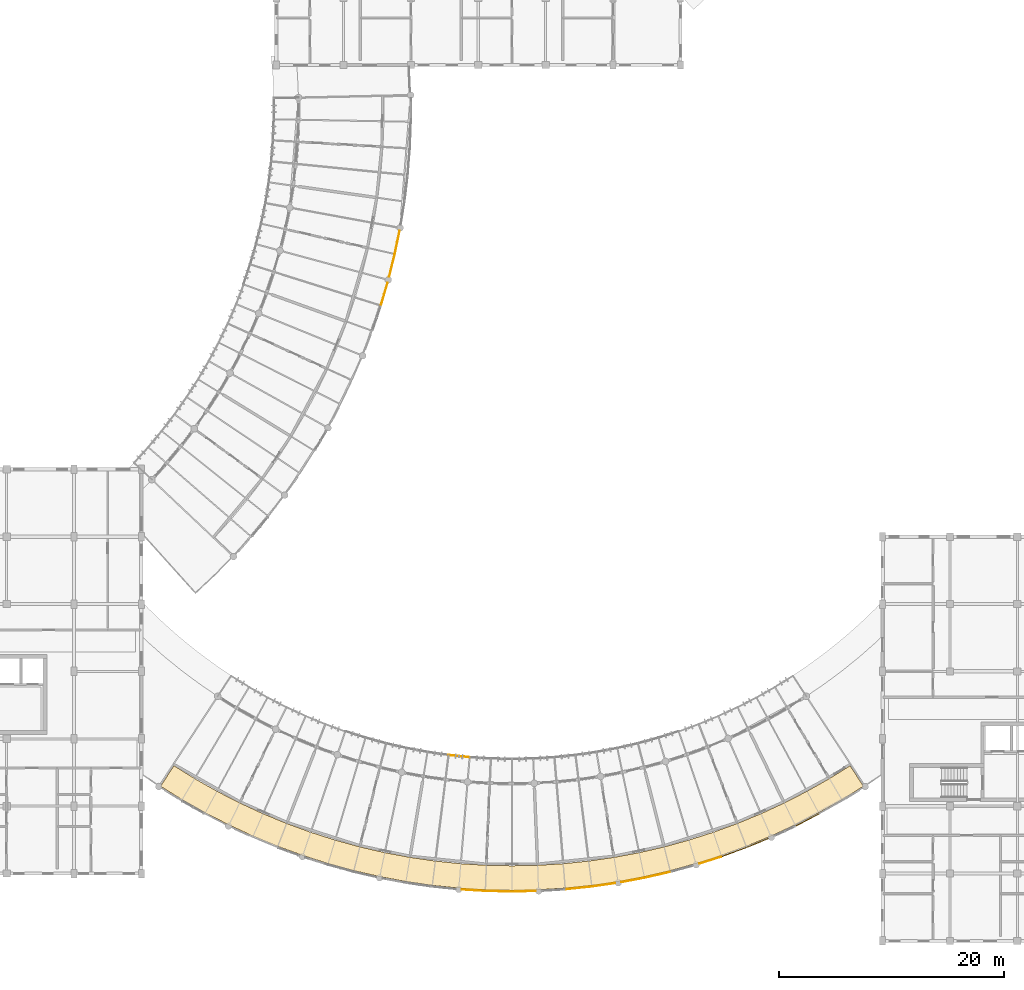
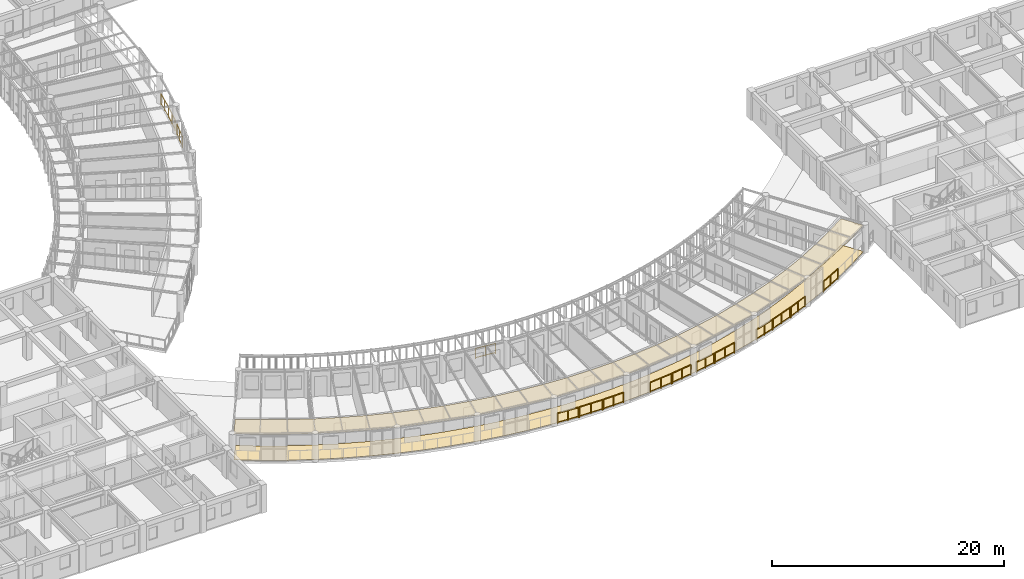
# One storey, part 91 of 100: 15 railings, 2 coverings.
"""IFC4 building model written with IfcOpenShell, lengths in metres."""

from ifc_helpers import new_model, si_unit, direction, frame, origin, origin_2d, place, context, subcontext, project, spatial, polyline, circle, outline, extrude, material, layer, layer_set, type_object, element, save


model = new_model("IFC4")

# Units and contexts
model_context = context("Model", 3, precision=1e-05, world=origin(), true_north=direction((0.0, 1.0)))
body_context = subcontext(model_context, "Body", "Model", "MODEL_VIEW")
ifc_project = project(units=[si_unit("LENGTHUNIT", "METRE"), si_unit("AREAUNIT", "SQUARE_METRE"), si_unit("VOLUMEUNIT", "CUBIC_METRE"), si_unit("PLANEANGLEUNIT", "RADIAN"), si_unit("MASSUNIT", "GRAM", prefix="KILO"), si_unit("POWERUNIT", "WATT"), si_unit("THERMODYNAMICTEMPERATUREUNIT", "KELVIN")], contexts=[model_context])

# Site, building, storey
site_placement = place(None, origin())
site = spatial("IfcSite", under=ifc_project, at=site_placement, CompositionType="ELEMENT")
building_placement = place(site_placement, origin())
building = spatial("IfcBuilding", under=site, at=building_placement, Name="Ruvembo Vaulted Housing Court", CompositionType="ELEMENT")
storey_placement = place(building_placement, frame((0.0, 0.0, 14.10009765625)))
storey = spatial("IfcBuildingStorey", under=building, at=storey_placement, Name="L04", CompositionType="ELEMENT", Elevation=14.10009765625)

# Coverings
ifc_material_1 = material(Name="Perforated Mineral-Fibre Acoustic Tile", Category="gypsum")
ifc_layer_1 = layer(ifc_material_1, 0.02001953125, Name="Perforated Mineral-Fibre Acoustic Tile")
ifc_layer_set_1 = layer_set([ifc_layer_1], Name="Perforated Mineral-Fibre Acoustic Tile")
covering_type_1 = type_object("IfcCoveringType", Name="COV-CEIL-ACOUST", PredefinedType="CEILING", material=ifc_layer_set_1)
covering_1_placement = place(storey_placement, frame((0.0, 0.0, 2.75)))
element("IfcCovering", 1, at=covering_1_placement, inside=storey, type_object=covering_type_1, Name="Scoop SC2 L04 Shaded Access Gallery Ceiling", PredefinedType="CEILING", context=body_context, shape_type="SweptSolid", body=[
    extrude(outline(polyline([(37.705810546875, 13.7763671875), (39.62548828125, 12.5810546875), (41.6884765625, 11.41162109375), (43.798095703125, 10.328369140625), (45.950439453125, 9.3330078125), (48.14208984375, 8.427001953125), (50.369384765625, 7.612548828125), (52.628173828125, 6.890380859375), (54.9150390625, 6.26220703125), (57.2255859375, 5.728759765625), (59.556396484375, 5.291015625), (61.9033203125, 4.94970703125), (64.26220703125, 4.70556640625), (66.62890625, 4.558837890625), (69.0, 4.510009765625), (71.37109375, 4.558837890625), (73.73779296875, 4.70556640625), (76.0966796875, 4.94970703125), (78.443603515625, 5.291015625), (80.7744140625, 5.728759765625), (83.0849609375, 6.26220703125), (85.371826171875, 6.890380859375), (87.630615234375, 7.612548828125), (89.85791015625, 8.427001953125), (92.049560546875, 9.3330078125), (94.201904296875, 10.328369140625), (96.3115234375, 11.41162109375), (98.37451171875, 12.5810546875), (100.294189453125, 13.7763671875), (99.104248046875, 15.602783203125), (97.2626953125, 14.456298828125), (97.2587890625, 14.453857421875), (95.27783203125, 13.3310546875), (95.27392578125, 13.328857421875), (93.248291015625, 12.288818359375), (93.244384765625, 12.286865234375), (91.177490234375, 11.3310546875), (91.17333984375, 11.3291015625), (89.069091796875, 10.45947265625), (89.064697265625, 10.457763671875), (86.92626953125, 9.675537109375), (86.922119140625, 9.674072265625), (84.753173828125, 8.980712890625), (84.748779296875, 8.9794921875), (82.552978515625, 8.376220703125), (82.548583984375, 8.375244140625), (80.330078125, 7.86279296875), (80.32568359375, 7.862060546875), (78.087646484375, 7.441650390625), (78.083251953125, 7.44091796875), (75.829833984375, 7.11328125), (75.825439453125, 7.11279296875), (73.560546875, 6.87841796875), (73.555908203125, 6.8779296875), (71.283203125, 6.737060546875), (71.27880859375, 6.73681640625), (69.002197265625, 6.68994140625), (68.997802734375, 6.68994140625), (66.72119140625, 6.73681640625), (66.716796875, 6.737060546875), (64.444091796875, 6.8779296875), (64.439453125, 6.87841796875), (62.174560546875, 7.11279296875), (62.170166015625, 7.11328125), (59.916748046875, 7.44091796875), (59.912109375, 7.441650390625), (57.67431640625, 7.862060546875), (57.669921875, 7.86279296875), (55.451416015625, 8.375244140625), (55.447021484375, 8.376220703125), (53.251220703125, 8.9794921875), (53.246826171875, 8.980712890625), (51.077880859375, 9.674072265625), (51.07373046875, 9.675537109375), (48.935302734375, 10.457763671875), (48.930908203125, 10.45947265625), (46.82666015625, 11.3291015625), (46.822509765625, 11.3310546875), (44.755615234375, 12.286865234375), (44.751708984375, 12.288818359375), (42.72607421875, 13.328857421875), (42.72216796875, 13.3310546875), (40.7412109375, 14.453857421875), (40.7373046875, 14.456298828125), (38.895751953125, 15.602783203125), (37.705810546875, 13.7763671875)])), origin(), (0.0, 0.0, 1.0), 0.02001953125),
])
ifc_material_2 = material(Name="Polished Cement-Aggregate Terrazzo", Category="stone")
ifc_layer_2 = layer(ifc_material_2, 0.02197265625, Name="Polished Cement-Aggregate Terrazzo")
ifc_layer_set_2 = layer_set([ifc_layer_2], Name="Polished Cement-Aggregate Terrazzo")
covering_type_2 = type_object("IfcCoveringType", Name="COV-FLR-CERAMIC", PredefinedType="FLOORING", material=ifc_layer_set_2)
covering_2_placement = place(storey_placement, origin())
element("IfcCovering", 2, at=covering_2_placement, inside=storey, type_object=covering_type_2, Name="Scoop SC2 L04 Shaded Access Gallery Flooring", PredefinedType="FLOORING", context=body_context, shape_type="SweptSolid", body=[
    extrude(outline(polyline([(37.705810546875, 13.7763671875), (39.62548828125, 12.5810546875), (41.6884765625, 11.41162109375), (43.798095703125, 10.328369140625), (45.950439453125, 9.3330078125), (48.14208984375, 8.427001953125), (50.369384765625, 7.612548828125), (52.628173828125, 6.890380859375), (54.9150390625, 6.26220703125), (57.2255859375, 5.728759765625), (59.556396484375, 5.291015625), (61.9033203125, 4.94970703125), (64.26220703125, 4.70556640625), (66.62890625, 4.558837890625), (69.0, 4.510009765625), (71.37109375, 4.558837890625), (73.73779296875, 4.70556640625), (76.0966796875, 4.94970703125), (78.443603515625, 5.291015625), (80.7744140625, 5.728759765625), (83.0849609375, 6.26220703125), (85.371826171875, 6.890380859375), (87.630615234375, 7.612548828125), (89.85791015625, 8.427001953125), (92.049560546875, 9.3330078125), (94.201904296875, 10.328369140625), (96.3115234375, 11.41162109375), (98.37451171875, 12.5810546875), (100.294189453125, 13.7763671875), (99.104248046875, 15.602783203125), (97.2626953125, 14.456298828125), (97.2587890625, 14.453857421875), (95.27783203125, 13.3310546875), (95.27392578125, 13.328857421875), (93.248291015625, 12.288818359375), (93.244384765625, 12.286865234375), (91.177490234375, 11.3310546875), (91.17333984375, 11.3291015625), (89.069091796875, 10.45947265625), (89.064697265625, 10.457763671875), (86.92626953125, 9.675537109375), (86.922119140625, 9.674072265625), (84.753173828125, 8.980712890625), (84.748779296875, 8.9794921875), (82.552978515625, 8.376220703125), (82.548583984375, 8.375244140625), (80.330078125, 7.86279296875), (80.32568359375, 7.862060546875), (78.087646484375, 7.441650390625), (78.083251953125, 7.44091796875), (75.829833984375, 7.11328125), (75.825439453125, 7.11279296875), (73.560546875, 6.87841796875), (73.555908203125, 6.8779296875), (71.283203125, 6.737060546875), (71.27880859375, 6.73681640625), (69.002197265625, 6.68994140625), (68.997802734375, 6.68994140625), (66.72119140625, 6.73681640625), (66.716796875, 6.737060546875), (64.444091796875, 6.8779296875), (64.439453125, 6.87841796875), (62.174560546875, 7.11279296875), (62.170166015625, 7.11328125), (59.916748046875, 7.44091796875), (59.912109375, 7.441650390625), (57.67431640625, 7.862060546875), (57.669921875, 7.86279296875), (55.451416015625, 8.375244140625), (55.447021484375, 8.376220703125), (53.251220703125, 8.9794921875), (53.246826171875, 8.980712890625), (51.077880859375, 9.674072265625), (51.07373046875, 9.675537109375), (48.935302734375, 10.457763671875), (48.930908203125, 10.45947265625), (46.82666015625, 11.3291015625), (46.822509765625, 11.3310546875), (44.755615234375, 12.286865234375), (44.751708984375, 12.288818359375), (42.72607421875, 13.328857421875), (42.72216796875, 13.3310546875), (40.7412109375, 14.453857421875), (40.7373046875, 14.456298828125), (38.895751953125, 15.602783203125), (37.705810546875, 13.7763671875)])), origin(), (0.0, 0.0, 1.0), 0.02197265625),
])

# Railings
ifc_material_3 = material(Name="Galvanised Painted Steel and Laminated Glass", Category="steel")
ifc_layer_3 = layer(ifc_material_3, 0.070068359375, Name="Galvanised Painted Steel and Laminated Glass")
ifc_layer_set_3 = layer_set([ifc_layer_3], Name="Galvanised Painted Steel and Laminated Glass")
railing_type_1 = type_object("IfcRailingType", Name="RL-BALUST-1120", PredefinedType="BALUSTRADE", material=ifc_layer_set_3)
railing_1_placement = place(storey_placement, frame((57.336181640625, 56.628173828125, 0.0)))
element("IfcRailing", 3, at=railing_1_placement, inside=storey, type_object=railing_type_1, Name="L04 Perimeter Guard RL-EXT-L04-0153", PredefinedType="BALUSTRADE", context=body_context, shape_type="SweptSolid", body=[
    extrude(circle(Radius=0.02392578125, at=origin_2d()), frame((0.0, 0.0, 1.09619140625), z_axis=(0.280841912011, 0.959754041647, 0.0), x_axis=(-0.959754041647, 0.280841912011, 0.0)), (0.0, 0.0, 1.0), 2.0263671875),
    extrude(circle(Radius=0.01806640625, at=origin_2d()), frame((0.0, 0.0, 0.1201171875), z_axis=(0.280841912011, 0.959754041647, 0.0), x_axis=(-0.959754041647, 0.280841912011, 0.0)), (0.0, 0.0, 1.0), 2.0263671875),
    extrude(circle(Radius=0.02099609375, at=origin_2d()), origin(), (0.0, 0.0, 1.0), 1.072021484375),
    extrude(circle(Radius=0.02099609375, at=origin_2d()), frame((0.28466796875, 0.972412109375, 0.0)), (0.0, 0.0, 1.0), 1.072021484375),
    extrude(circle(Radius=0.02099609375, at=origin_2d()), frame((0.569091796875, 1.94482421875, 0.0)), (0.0, 0.0, 1.0), 1.072021484375),
])
railing_2_placement = place(storey_placement, frame((58.061767578125, 59.152099609375, 0.0)))
element("IfcRailing", 4, at=railing_2_placement, inside=storey, type_object=railing_type_1, Name="L04 Perimeter Guard RL-EXT-L04-0154", PredefinedType="BALUSTRADE", context=body_context, shape_type="SweptSolid", body=[
    extrude(circle(Radius=0.02392578125, at=origin_2d()), frame((0.0, 0.0, 1.09619140625), z_axis=(0.241174818702, 0.970481688042, 0.0), x_axis=(-0.970481688042, 0.241174818702, 0.0)), (0.0, 0.0, 1.0), 2.026611328125),
    extrude(circle(Radius=0.01806640625, at=origin_2d()), frame((0.0, 0.0, 0.1201171875), z_axis=(0.241174818702, 0.970481688042, 0.0), x_axis=(-0.970481688042, 0.241174818702, 0.0)), (0.0, 0.0, 1.0), 2.026611328125),
    extrude(circle(Radius=0.02099609375, at=origin_2d()), origin(), (0.0, 0.0, 1.0), 1.072021484375),
    extrude(circle(Radius=0.02099609375, at=origin_2d()), frame((0.244384765625, 0.9833984375, 0.0)), (0.0, 0.0, 1.0), 1.072021484375),
    extrude(circle(Radius=0.02099609375, at=origin_2d()), frame((0.48876953125, 1.966796875, 0.0)), (0.0, 0.0, 1.0), 1.072021484375),
])
railing_3_placement = place(storey_placement, frame((58.57275390625, 61.21630859375, 0.0)))
element("IfcRailing", 5, at=railing_3_placement, inside=storey, type_object=railing_type_1, Name="L04 Perimeter Guard RL-EXT-L04-0155", PredefinedType="BALUSTRADE", context=body_context, shape_type="SweptSolid", body=[
    extrude(circle(Radius=0.02392578125, at=origin_2d()), frame((0.0, 0.0, 1.09619140625), z_axis=(0.201187208501, 0.979552809774, 0.0), x_axis=(-0.979552809774, 0.201187208501, 0.0)), (0.0, 0.0, 1.0), 2.026611328125),
    extrude(circle(Radius=0.01806640625, at=origin_2d()), frame((0.0, 0.0, 0.1201171875), z_axis=(0.201187208501, 0.979552809774, 0.0), x_axis=(-0.979552809774, 0.201187208501, 0.0)), (0.0, 0.0, 1.0), 2.026611328125),
    extrude(circle(Radius=0.02099609375, at=origin_2d()), origin(), (0.0, 0.0, 1.0), 1.072021484375),
    extrude(circle(Radius=0.02099609375, at=origin_2d()), frame((0.203857421875, 0.99267578125, 0.0)), (0.0, 0.0, 1.0), 1.072021484375),
    extrude(circle(Radius=0.02099609375, at=origin_2d()), frame((0.40771484375, 1.985107421875, 0.0)), (0.0, 0.0, 1.0), 1.072021484375),
])
railing_4_placement = place(storey_placement, frame((64.552490234375, 4.577392578125, 0.0)))
element("IfcRailing", 6, at=railing_4_placement, inside=storey, type_object=railing_type_1, Name="L04 Perimeter Guard RL-EXT-L04-0431", PredefinedType="BALUSTRADE", context=body_context, shape_type="SweptSolid", body=[
    extrude(circle(Radius=0.02392578125, at=origin_2d()), frame((0.0, 0.0, 1.09619140625), z_axis=(0.998087584773, -0.061815638173, 0.0), x_axis=(0.061815638173, 0.998087584773, 0.0)), (0.0, 0.0, 1.0), 2.026123046875),
    extrude(circle(Radius=0.01806640625, at=origin_2d()), frame((0.0, 0.0, 0.1201171875), z_axis=(0.998087584773, -0.061815638173, 0.0), x_axis=(0.061815638173, 0.998087584773, 0.0)), (0.0, 0.0, 1.0), 2.026123046875),
    extrude(circle(Radius=0.02099609375, at=origin_2d()), origin(), (0.0, 0.0, 1.0), 1.072021484375),
    extrude(circle(Radius=0.02099609375, at=origin_2d()), frame((1.01123046875, -0.0625, 0.0)), (0.0, 0.0, 1.0), 1.072021484375),
    extrude(circle(Radius=0.02099609375, at=origin_2d()), frame((2.022216796875, -0.125244140625, 0.0)), (0.0, 0.0, 1.0), 1.072021484375),
])
railing_5_placement = place(storey_placement, frame((66.674560546875, 4.447998046875, 0.0)))
element("IfcRailing", 7, at=railing_5_placement, inside=storey, type_object=railing_type_1, Name="L04 Perimeter Guard RL-EXT-L04-0432", PredefinedType="BALUSTRADE", context=body_context, shape_type="SweptSolid", body=[
    extrude(circle(Radius=0.02392578125, at=origin_2d()), frame((0.0, 0.0, 1.09619140625), z_axis=(0.999785655104, -0.020703715819, 0.0), x_axis=(0.020703715819, 0.999785655104, 0.0)), (0.0, 0.0, 1.0), 2.27587890625),
    extrude(circle(Radius=0.01806640625, at=origin_2d()), frame((0.0, 0.0, 0.1201171875), z_axis=(0.999785655104, -0.020703715819, 0.0), x_axis=(0.020703715819, 0.999785655104, 0.0)), (0.0, 0.0, 1.0), 2.27587890625),
    extrude(circle(Radius=0.02099609375, at=origin_2d()), origin(), (0.0, 0.0, 1.0), 1.072021484375),
    extrude(circle(Radius=0.02099609375, at=origin_2d()), frame((1.1376953125, -0.0234375, 0.0)), (0.0, 0.0, 1.0), 1.072021484375),
    extrude(circle(Radius=0.02099609375, at=origin_2d()), frame((2.275390625, -0.047119140625, 0.0)), (0.0, 0.0, 1.0), 1.072021484375),
])
railing_6_placement = place(storey_placement, frame((69.050048828125, 4.40087890625, 0.0)))
element("IfcRailing", 8, at=railing_6_placement, inside=storey, type_object=railing_type_1, Name="L04 Perimeter Guard RL-EXT-L04-0433", PredefinedType="BALUSTRADE", context=body_context, shape_type="SweptSolid", body=[
    extrude(circle(Radius=0.02392578125, at=origin_2d()), frame((0.0, 0.0, 1.09619140625), z_axis=(0.999785194811, 0.020725931482, 0.0), x_axis=(-0.020725931482, 0.999785194811, 0.0)), (0.0, 0.0, 1.0), 2.026123046875),
    extrude(circle(Radius=0.01806640625, at=origin_2d()), frame((0.0, 0.0, 0.1201171875), z_axis=(0.999785194811, 0.020725931482, 0.0), x_axis=(-0.020725931482, 0.999785194811, 0.0)), (0.0, 0.0, 1.0), 2.026123046875),
    extrude(circle(Radius=0.02099609375, at=origin_2d()), origin(), (0.0, 0.0, 1.0), 1.072021484375),
    extrude(circle(Radius=0.02099609375, at=origin_2d()), frame((1.0126953125, 0.02099609375, 0.0)), (0.0, 0.0, 1.0), 1.072021484375),
    extrude(circle(Radius=0.02099609375, at=origin_2d()), frame((2.025634765625, 0.0419921875, 0.0)), (0.0, 0.0, 1.0), 1.072021484375),
])
railing_7_placement = place(storey_placement, frame((73.796630859375, 4.60107421875, 0.0)))
element("IfcRailing", 9, at=railing_7_placement, inside=storey, type_object=railing_type_1, Name="L04 Perimeter Guard RL-EXT-L04-0434", PredefinedType="BALUSTRADE", context=body_context, shape_type="SweptSolid", body=[
    extrude(circle(Radius=0.02392578125, at=origin_2d()), frame((0.0, 0.0, 1.09619140625), z_axis=(0.994684977784, 0.102965018188, 0.0), x_axis=(-0.102965018188, 0.994684977784, 0.0)), (0.0, 0.0, 1.0), 2.2763671875),
    extrude(circle(Radius=0.01806640625, at=origin_2d()), frame((0.0, 0.0, 0.1201171875), z_axis=(0.994684977784, 0.102965018188, 0.0), x_axis=(-0.102965018188, 0.994684977784, 0.0)), (0.0, 0.0, 1.0), 2.2763671875),
    extrude(circle(Radius=0.02099609375, at=origin_2d()), origin(), (0.0, 0.0, 1.0), 1.072021484375),
    extrude(circle(Radius=0.02099609375, at=origin_2d()), frame((1.132080078125, 0.1171875, 0.0)), (0.0, 0.0, 1.0), 1.072021484375),
    extrude(circle(Radius=0.02099609375, at=origin_2d()), frame((2.26416015625, 0.234375, 0.0)), (0.0, 0.0, 1.0), 1.072021484375),
])
railing_8_placement = place(storey_placement, frame((76.159912109375, 4.847900390625, 0.0)))
element("IfcRailing", 10, at=railing_8_placement, inside=storey, type_object=railing_type_1, Name="L04 Perimeter Guard RL-EXT-L04-0435", PredefinedType="BALUSTRADE", context=body_context, shape_type="SweptSolid", body=[
    extrude(circle(Radius=0.02392578125, at=origin_2d()), frame((0.0, 0.0, 1.09619140625), z_axis=(0.989611703785, 0.143766045131, 0.0), x_axis=(-0.143766045131, 0.989611703785, 0.0)), (0.0, 0.0, 1.0), 2.02587890625),
    extrude(circle(Radius=0.01806640625, at=origin_2d()), frame((0.0, 0.0, 0.1201171875), z_axis=(0.989611703785, 0.143766045131, 0.0), x_axis=(-0.143766045131, 0.989611703785, 0.0)), (0.0, 0.0, 1.0), 2.02587890625),
    extrude(circle(Radius=0.02099609375, at=origin_2d()), origin(), (0.0, 0.0, 1.0), 1.072021484375),
    extrude(circle(Radius=0.02099609375, at=origin_2d()), frame((1.00244140625, 0.1455078125, 0.0)), (0.0, 0.0, 1.0), 1.072021484375),
    extrude(circle(Radius=0.02099609375, at=origin_2d()), frame((2.0048828125, 0.291259765625, 0.0)), (0.0, 0.0, 1.0), 1.072021484375),
])
railing_9_placement = place(storey_placement, frame((78.756591796875, 5.23779296875, 0.0)))
element("IfcRailing", 11, at=railing_9_placement, inside=storey, type_object=railing_type_1, Name="L04 Perimeter Guard RL-EXT-L04-0436", PredefinedType="BALUSTRADE", context=body_context, shape_type="SweptSolid", body=[
    extrude(circle(Radius=0.02392578125, at=origin_2d()), frame((0.0, 0.0, 1.09619140625), z_axis=(0.982812111298, 0.184608650626, 0.0), x_axis=(-0.184608650626, 0.982812111298, 0.0)), (0.0, 0.0, 1.0), 2.026123046875),
    extrude(circle(Radius=0.01806640625, at=origin_2d()), frame((0.0, 0.0, 0.1201171875), z_axis=(0.982812111298, 0.184608650626, 0.0), x_axis=(-0.184608650626, 0.982812111298, 0.0)), (0.0, 0.0, 1.0), 2.026123046875),
    extrude(circle(Radius=0.02099609375, at=origin_2d()), origin(), (0.0, 0.0, 1.0), 1.072021484375),
    extrude(circle(Radius=0.02099609375, at=origin_2d()), frame((0.99560546875, 0.18701171875, 0.0)), (0.0, 0.0, 1.0), 1.072021484375),
    extrude(circle(Radius=0.02099609375, at=origin_2d()), frame((1.9912109375, 0.3740234375, 0.0)), (0.0, 0.0, 1.0), 1.072021484375),
])
railing_10_placement = place(storey_placement, frame((80.845703125, 5.632080078125, 0.0)))
element("IfcRailing", 12, at=railing_10_placement, inside=storey, type_object=railing_type_1, Name="L04 Perimeter Guard RL-EXT-L04-0437", PredefinedType="BALUSTRADE", context=body_context, shape_type="SweptSolid", body=[
    extrude(circle(Radius=0.02392578125, at=origin_2d()), frame((0.0, 0.0, 1.09619140625), z_axis=(0.974345977393, 0.225055362828, 0.0), x_axis=(-0.225055362828, 0.974345977393, 0.0)), (0.0, 0.0, 1.0), 2.27587890625),
    extrude(circle(Radius=0.01806640625, at=origin_2d()), frame((0.0, 0.0, 0.1201171875), z_axis=(0.974345977393, 0.225055362828, 0.0), x_axis=(-0.225055362828, 0.974345977393, 0.0)), (0.0, 0.0, 1.0), 2.27587890625),
    extrude(circle(Radius=0.02099609375, at=origin_2d()), origin(), (0.0, 0.0, 1.0), 1.072021484375),
    extrude(circle(Radius=0.02099609375, at=origin_2d()), frame((1.10888671875, 0.256103515625, 0.0)), (0.0, 0.0, 1.0), 1.072021484375),
    extrude(circle(Radius=0.02099609375, at=origin_2d()), frame((2.217529296875, 0.51220703125, 0.0)), (0.0, 0.0, 1.0), 1.072021484375),
])
railing_11_placement = place(storey_placement, frame((85.68896484375, 6.876220703125, 0.0)))
element("IfcRailing", 13, at=railing_11_placement, inside=storey, type_object=railing_type_1, Name="L04 Perimeter Guard RL-EXT-L04-0438", PredefinedType="BALUSTRADE", context=body_context, shape_type="SweptSolid", body=[
    extrude(circle(Radius=0.02392578125, at=origin_2d()), frame((0.0, 0.0, 1.09619140625), z_axis=(0.952503870969, 0.304526477978, 0.0), x_axis=(-0.304526477978, 0.952503870969, 0.0)), (0.0, 0.0, 1.0), 2.02587890625),
    extrude(circle(Radius=0.01806640625, at=origin_2d()), frame((0.0, 0.0, 0.1201171875), z_axis=(0.952503870969, 0.304526477978, 0.0), x_axis=(-0.304526477978, 0.952503870969, 0.0)), (0.0, 0.0, 1.0), 2.02587890625),
    extrude(circle(Radius=0.02099609375, at=origin_2d()), origin(), (0.0, 0.0, 1.0), 1.072021484375),
    extrude(circle(Radius=0.02099609375, at=origin_2d()), frame((0.96484375, 0.30859375, 0.0)), (0.0, 0.0, 1.0), 1.072021484375),
    extrude(circle(Radius=0.02099609375, at=origin_2d()), frame((1.9296875, 0.616943359375, 0.0)), (0.0, 0.0, 1.0), 1.072021484375),
])
railing_12_placement = place(storey_placement, frame((87.71337890625, 7.525634765625, 0.0)))
element("IfcRailing", 14, at=railing_12_placement, inside=storey, type_object=railing_type_1, Name="L04 Perimeter Guard RL-EXT-L04-0439", PredefinedType="BALUSTRADE", context=body_context, shape_type="SweptSolid", body=[
    extrude(circle(Radius=0.02392578125, at=origin_2d()), frame((0.0, 0.0, 1.09619140625), z_axis=(0.939146490209, 0.343516913599, 0.0), x_axis=(-0.343516913599, 0.939146490209, 0.0)), (0.0, 0.0, 1.0), 2.275634765625),
    extrude(circle(Radius=0.01806640625, at=origin_2d()), frame((0.0, 0.0, 0.1201171875), z_axis=(0.939146490209, 0.343516913599, 0.0), x_axis=(-0.343516913599, 0.939146490209, 0.0)), (0.0, 0.0, 1.0), 2.275634765625),
    extrude(circle(Radius=0.02099609375, at=origin_2d()), origin(), (0.0, 0.0, 1.0), 1.072021484375),
    extrude(circle(Radius=0.02099609375, at=origin_2d()), frame((1.068603515625, 0.390869140625, 0.0)), (0.0, 0.0, 1.0), 1.072021484375),
    extrude(circle(Radius=0.02099609375, at=origin_2d()), frame((2.13720703125, 0.78173828125, 0.0)), (0.0, 0.0, 1.0), 1.072021484375),
])
railing_13_placement = place(storey_placement, frame((89.94384765625, 8.34375, 0.0)))
element("IfcRailing", 15, at=railing_13_placement, inside=storey, type_object=railing_type_1, Name="L04 Perimeter Guard RL-EXT-L04-0440", PredefinedType="BALUSTRADE", context=body_context, shape_type="SweptSolid", body=[
    extrude(circle(Radius=0.02392578125, at=origin_2d()), frame((0.0, 0.0, 1.09619140625), z_axis=(0.924178222337, 0.381961533873, 0.0), x_axis=(-0.381961533873, 0.924178222337, 0.0)), (0.0, 0.0, 1.0), 2.026123046875),
    extrude(circle(Radius=0.01806640625, at=origin_2d()), frame((0.0, 0.0, 0.1201171875), z_axis=(0.924178222337, 0.381961533873, 0.0), x_axis=(-0.381961533873, 0.924178222337, 0.0)), (0.0, 0.0, 1.0), 2.026123046875),
    extrude(circle(Radius=0.02099609375, at=origin_2d()), origin(), (0.0, 0.0, 1.0), 1.072021484375),
    extrude(circle(Radius=0.02099609375, at=origin_2d()), frame((0.936279296875, 0.386962890625, 0.0)), (0.0, 0.0, 1.0), 1.072021484375),
    extrude(circle(Radius=0.02099609375, at=origin_2d()), frame((1.87255859375, 0.77392578125, 0.0)), (0.0, 0.0, 1.0), 1.072021484375),
])
railing_14_placement = place(storey_placement, frame((94.294677734375, 10.252197265625, 0.0)))
element("IfcRailing", 16, at=railing_14_placement, inside=storey, type_object=railing_type_1, Name="L04 Perimeter Guard RL-EXT-L04-0441", PredefinedType="BALUSTRADE", context=body_context, shape_type="SweptSolid", body=[
    extrude(circle(Radius=0.02392578125, at=origin_2d()), frame((0.0, 0.0, 1.09619140625), z_axis=(0.889548168518, 0.456841390295, 0.0), x_axis=(-0.456841390295, 0.889548168518, 0.0)), (0.0, 0.0, 1.0), 2.276123046875),
    extrude(circle(Radius=0.01806640625, at=origin_2d()), frame((0.0, 0.0, 0.1201171875), z_axis=(0.889548168518, 0.456841390295, 0.0), x_axis=(-0.456841390295, 0.889548168518, 0.0)), (0.0, 0.0, 1.0), 2.276123046875),
    extrude(circle(Radius=0.02099609375, at=origin_2d()), origin(), (0.0, 0.0, 1.0), 1.072021484375),
    extrude(circle(Radius=0.02099609375, at=origin_2d()), frame((1.01220703125, 0.52001953125, 0.0)), (0.0, 0.0, 1.0), 1.072021484375),
    extrude(circle(Radius=0.02099609375, at=origin_2d()), frame((2.024658203125, 1.039794921875, 0.0)), (0.0, 0.0, 1.0), 1.072021484375),
])
ifc_material_4 = material(Name="Galvanised Painted Steel S275", Category="steel")
ifc_layer_4 = layer(ifc_material_4, 0.06005859375, Name="Galvanised Painted Steel S275")
ifc_layer_set_4 = layer_set([ifc_layer_4], Name="Galvanised Painted Steel S275")
railing_type_2 = type_object("IfcRailingType", Name="RL-GUARD-1100", PredefinedType="GUARDRAIL", material=ifc_layer_set_4)
railing_15_placement = place(storey_placement, frame((63.34619140625, 16.55029296875, 0.0)))
element("IfcRailing", 17, at=railing_15_placement, inside=storey, type_object=railing_type_2, Name="L04 Perimeter Guard RL-EXT-L04-0404", PredefinedType="GUARDRAIL", context=body_context, shape_type="SweptSolid", body=[
    extrude(circle(Radius=0.02392578125, at=origin_2d()), frame((0.0, 0.0, 1.076171875), z_axis=(0.994683125416, -0.10298291127, 0.0), x_axis=(0.10298291127, 0.994683125416, 0.0)), (0.0, 0.0, 1.0), 1.889404296875),
    extrude(circle(Radius=0.01806640625, at=origin_2d()), frame((0.0, 0.0, 0.1201171875), z_axis=(0.994683125416, -0.10298291127, 0.0), x_axis=(0.10298291127, 0.994683125416, 0.0)), (0.0, 0.0, 1.0), 1.889404296875),
    extrude(circle(Radius=0.02099609375, at=origin_2d()), origin(), (0.0, 0.0, 1.0), 1.052001953125),
    extrude(circle(Radius=0.02099609375, at=origin_2d()), frame((0.939697265625, -0.09716796875, 0.0)), (0.0, 0.0, 1.0), 1.052001953125),
    extrude(circle(Radius=0.02099609375, at=origin_2d()), frame((1.87939453125, -0.194580078125, 0.0)), (0.0, 0.0, 1.0), 1.052001953125),
])

save(model, "model.ifc")
